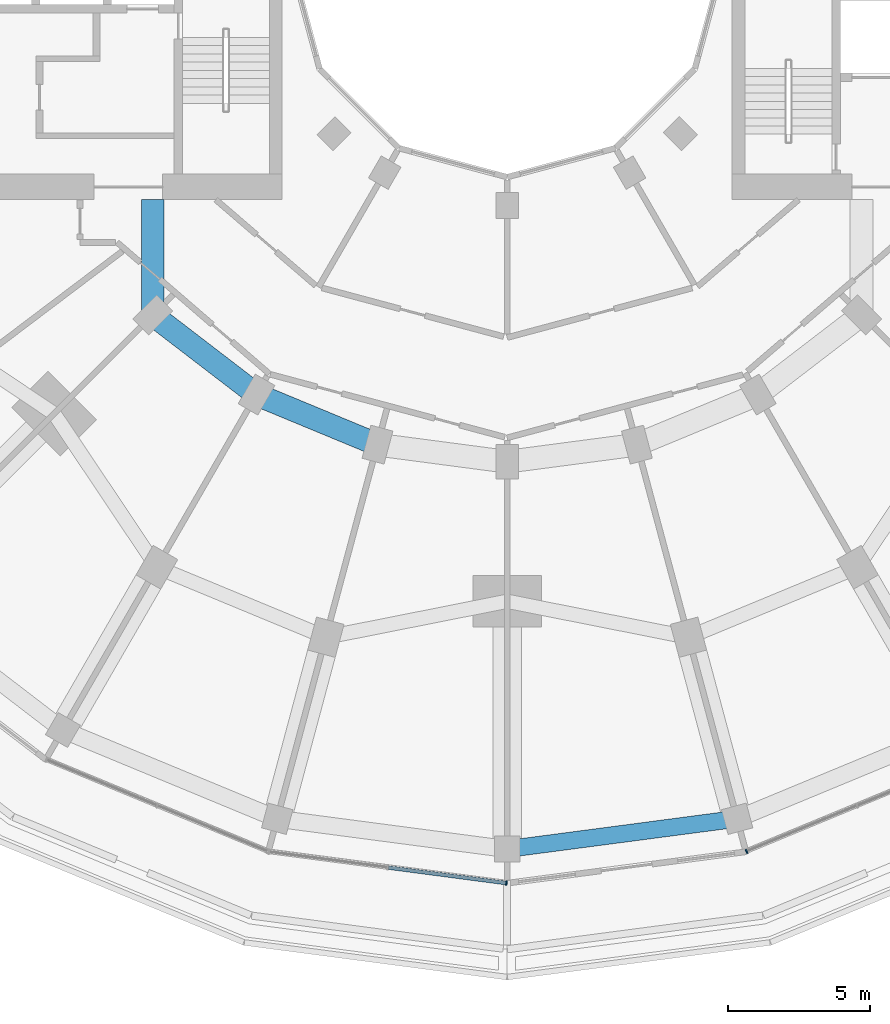
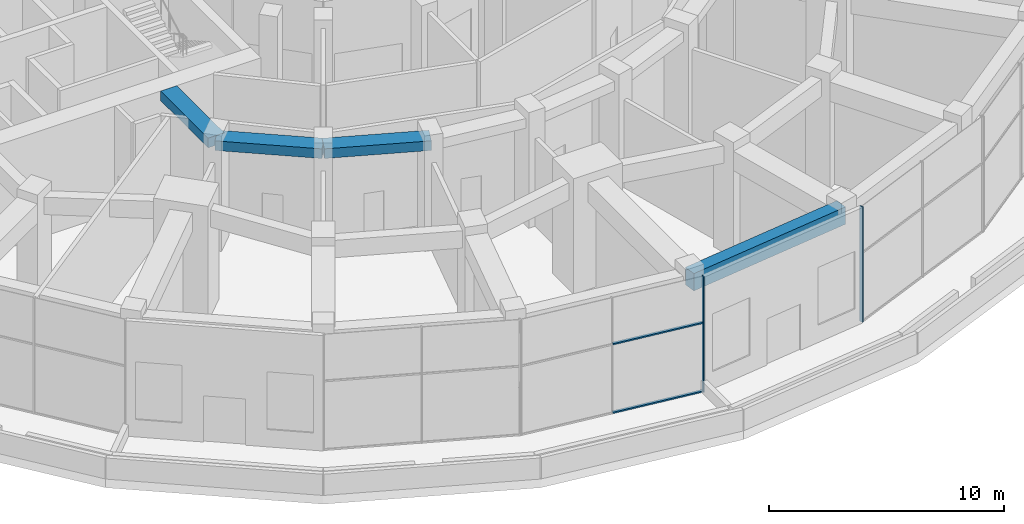
# One storey, part 4 of 23: 4 beams, 4 members, 2 elements without a shape of their own.
"""IFC4 building model written with IfcOpenShell, lengths in metres."""

from ifc_helpers import new_model, si_unit, direction, frame, origin, origin_2d, place, context, subcontext, project, spatial, rectangle, extrude, material, layer, layer_set, material_profile, profile_set, type_object, element, aggregate, save


model = new_model("IFC4")

# Units and contexts
model_context = context("Model", 3, precision=1e-05, world=origin(), true_north=direction((0.0, 1.0)))
body_context = subcontext(model_context, "Body", "Model", "MODEL_VIEW")
ifc_project = project(units=[si_unit("LENGTHUNIT", "METRE"), si_unit("AREAUNIT", "SQUARE_METRE"), si_unit("VOLUMEUNIT", "CUBIC_METRE"), si_unit("PLANEANGLEUNIT", "RADIAN"), si_unit("MASSUNIT", "GRAM", prefix="KILO")], contexts=[model_context])

# Site, building, storey
site_placement = place(None, origin())
site = spatial("IfcSite", under=ifc_project, at=site_placement, CompositionType="ELEMENT")
building_placement = place(site_placement, origin())
building = spatial("IfcBuilding", under=site, at=building_placement, Name="Torre Brocal", CompositionType="ELEMENT")
storey_placement = place(building_placement, frame((0.0, 0.0, 17.800048828125)))
storey = spatial("IfcBuildingStorey", under=building, at=storey_placement, Name="L03", CompositionType="ELEMENT", Elevation=17.800048828125)

# Curtain wall, member
ifc_material_1 = material(Name="Aluminium and glass", Category="aluminium")
ifc_layer = layer(ifc_material_1, 0.199951171875)
ifc_layer_set = layer_set([ifc_layer], Name="Aluminium and glass")
curtain_wall_type = type_object("IfcCurtainWallType", Name="CW-6 CURTAIN WALL 6000 HIGH", PredefinedType="NOTDEFINED", material=ifc_layer_set)
curtain_wall_1_placement = place(storey_placement, origin())
curtain_wall_1 = element("IfcCurtainWall", 1, at=curtain_wall_1_placement, inside=storey, type_object=curtain_wall_type, Name="CW-6 RUN 18", PredefinedType="NOTDEFINED")
ifc_material_2 = material(Name="Aluminium, dark anodised", Category="aluminium")
ifc_material_profile_1 = material_profile(ifc_material_2, rectangle(XDim=0.159912109375, YDim=0.050048828125, at=origin_2d()), Name="CW-6 MULLION 50X160")
ifc_profile_set_1 = profile_set([ifc_material_profile_1], Name="Aluminium, dark anodised")
member_type_1 = type_object("IfcMemberType", Name="CW-6 MULLION 50X160", PredefinedType="MULLION", material=ifc_profile_set_1)
member_1_placement = place(storey_placement, frame((79.97509765625, 42.604248046875, 0.0), z_axis=(0.0, 0.0, 1.0), x_axis=(0.130526192255, 0.991444861369, 0.0)))
member_1 = element("IfcMember", 2, at=member_1_placement, type_object=member_type_1, Name="CW6-2 mullion 3", PredefinedType="MULLION", context=body_context, shape_type="SweptSolid", body=[
    extrude(rectangle(XDim=0.159912109375, YDim=0.050048828125, at=origin_2d()), origin(), (0.0, 0.0, 1.0), 6.0),
])

curtain_wall_2_placement = place(storey_placement, origin())
curtain_wall_2 = element("IfcCurtainWall", 3, at=curtain_wall_2_placement, inside=storey, type_object=curtain_wall_type, Name="CW-6 RUN 20", PredefinedType="NOTDEFINED")
member_2_placement = place(storey_placement, frame((88.40869140625, 43.71435546875, 0.0), z_axis=(0.0, 0.0, 1.0), x_axis=(-0.382683432301, 0.923879532538, 0.0)))
member_2 = element("IfcMember", 4, at=member_2_placement, type_object=member_type_1, Name="CW6-2 mullion 1", PredefinedType="MULLION", context=body_context, shape_type="SweptSolid", body=[
    extrude(rectangle(XDim=0.159912109375, YDim=0.050048828125, at=origin_2d()), origin(), (0.0, 0.0, 1.0), 6.0),
])
aggregate(curtain_wall_2, [member_2])

# Member
ifc_material_3 = material(Name="Aluminium, dark anodised", Category="aluminium")
ifc_material_profile_2 = material_profile(ifc_material_3, rectangle(XDim=0.1298828125, YDim=0.070068359375, at=origin_2d()), Name="CW-6 TRANSOM 130X70")
ifc_profile_set_2 = profile_set([ifc_material_profile_2], Name="Aluminium, dark anodised")
member_type_2 = type_object("IfcMemberType", Name="CW-6 TRANSOM 130X70", PredefinedType="USERDEFINED", material=ifc_profile_set_2)
member_3_placement = place(storey_placement, frame((75.83203125, 43.149658203125, 0.034912109375), z_axis=(0.991443689902, -0.130535090122, 0.0), x_axis=(0.130535090122, 0.991443689902, 0.0)))
member_3 = element("IfcMember", 5, at=member_3_placement, type_object=member_type_2, Name="CW6-2 transom 2.1", ObjectType="TRANSOM", PredefinedType="USERDEFINED", context=body_context, shape_type="SweptSolid", body=[
    extrude(rectangle(XDim=0.1298828125, YDim=0.070068359375, at=origin_2d()), origin(), (0.0, 0.0, 1.0), 4.154052734375),
])

member_4_placement = place(storey_placement, frame((75.83203125, 43.149658203125, 3.599853515625), z_axis=(0.991443689902, -0.130535090122, 0.0), x_axis=(0.130535090122, 0.991443689902, 0.0)))
member_4 = element("IfcMember", 6, at=member_4_placement, type_object=member_type_2, Name="CW6-2 transom 2.2", ObjectType="TRANSOM", PredefinedType="USERDEFINED", context=body_context, shape_type="SweptSolid", body=[
    extrude(rectangle(XDim=0.1298828125, YDim=0.070068359375, at=origin_2d()), origin(), (0.0, 0.0, 1.0), 4.154052734375),
])

aggregate(curtain_wall_1, [member_1, member_3, member_4])

# Beams
ifc_material_4 = material(Name="Concrete C50", Category="concrete")
ifc_material_profile_3 = material_profile(ifc_material_4, rectangle(XDim=0.60009765625, YDim=0.89990234375, at=origin_2d()), Name="RC 600X900")
ifc_profile_set_3 = profile_set([ifc_material_profile_3], Name="Concrete C50")
beam_type_1 = type_object("IfcBeamType", Name="RC BEAM 600X900 C50 TOP 5550", PredefinedType="BEAM", material=ifc_profile_set_3)
beam_1_placement = place(storey_placement, frame((80.0, 43.800048828125, 5.099853515625), z_axis=(0.991446948203, 0.130510340201, 0.0), x_axis=(-0.130510340201, 0.991446948203, 0.0)))
element("IfcBeam", 7, at=beam_1_placement, inside=storey, type_object=beam_type_1, Name="Beam BT-13", PredefinedType="BEAM", context=body_context, shape_type="SweptSolid", body=[
    extrude(rectangle(XDim=0.60009765625, YDim=0.89990234375, at=origin_2d()), origin(), (0.0, 0.0, 1.0), 8.144775390625),
])
ifc_material_5 = material(Name="Concrete C50", Category="concrete")
ifc_material_profile_4 = material_profile(ifc_material_5, rectangle(XDim=0.800048828125, YDim=0.5, at=origin_2d()), Name="RC 800X500")
ifc_profile_set_4 = profile_set([ifc_material_profile_4], Name="Concrete C50")
beam_type_2 = type_object("IfcBeamType", Name="RC BEAM 800X500 C50 TOP 5550", PredefinedType="BEAM", material=ifc_profile_set_4)
beam_2_placement = place(storey_placement, frame((67.554931640625, 62.554931640625, 5.300048828125), z_axis=(0.0, 1.0, 0.0), x_axis=(-1.0, 0.0, 0.0)))
element("IfcBeam", 8, at=beam_2_placement, inside=storey, type_object=beam_type_2, Name="Beam BT-14", PredefinedType="BEAM", context=body_context, shape_type="SweptSolid", body=[
    extrude(rectangle(XDim=0.800048828125, YDim=0.5, at=origin_2d()), origin(), (0.0, 0.0, 1.0), 4.045166015625),
])
beam_3_placement = place(storey_placement, frame((67.554931640625, 62.554931640625, 5.300048828125), z_axis=(0.793358265959, -0.6087550097, 0.0), x_axis=(0.6087550097, 0.793358265959, 0.0)))
element("IfcBeam", 9, at=beam_3_placement, inside=storey, type_object=beam_type_2, Name="Beam BT-14", PredefinedType="BEAM", context=body_context, shape_type="SweptSolid", body=[
    extrude(rectangle(XDim=0.800048828125, YDim=0.5, at=origin_2d()), origin(), (0.0, 0.0, 1.0), 4.594482421875),
])
beam_4_placement = place(storey_placement, frame((71.199951171875, 59.758056640625, 5.300048828125), z_axis=(0.923878240166, -0.382686552348, 0.0), x_axis=(0.382686552348, 0.923878240166, 0.0)))
element("IfcBeam", 10, at=beam_4_placement, inside=storey, type_object=beam_type_2, Name="Beam BT-14", PredefinedType="BEAM", context=body_context, shape_type="SweptSolid", body=[
    extrude(rectangle(XDim=0.800048828125, YDim=0.5, at=origin_2d()), origin(), (0.0, 0.0, 1.0), 4.5947265625),
])

save(model, "model.ifc")
